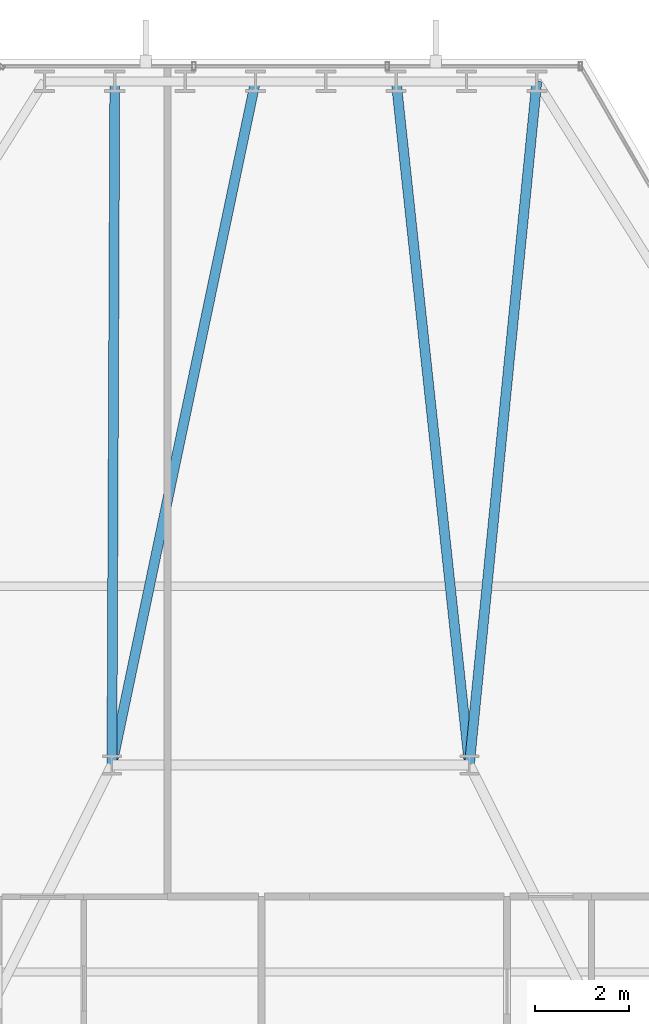
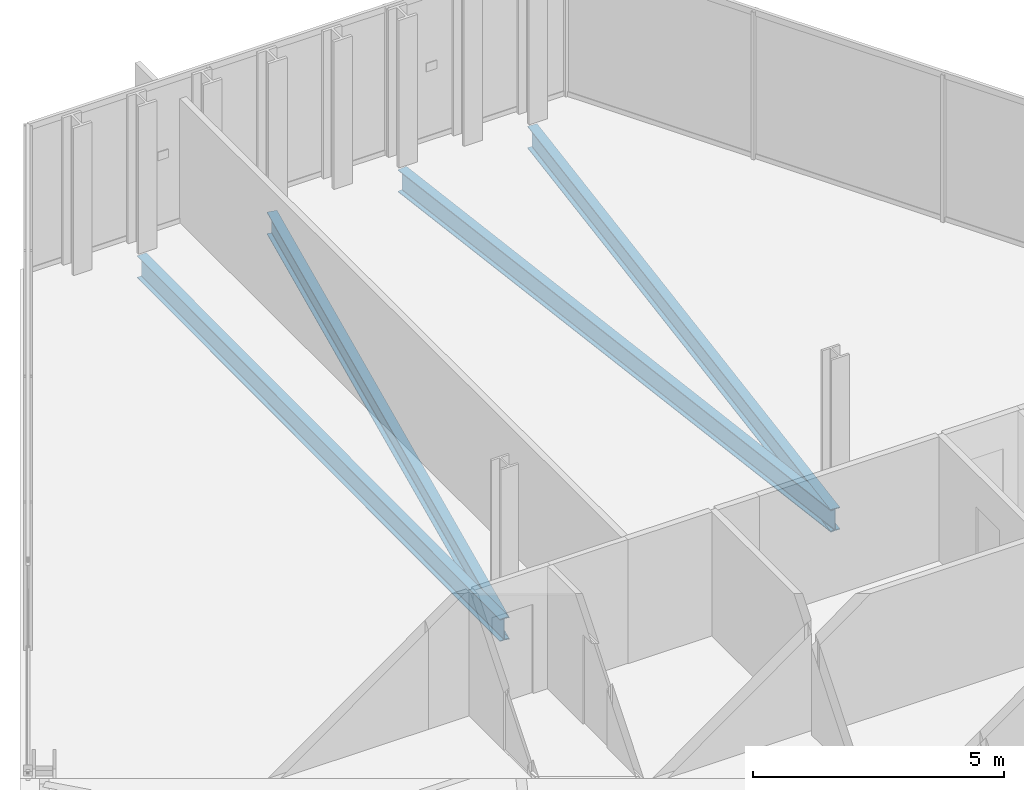
# One storey, part 21 of 32: 4 beams.
"""IFC4 building model written with IfcOpenShell, lengths in metres."""

from ifc_helpers import new_model, si_unit, direction, frame, origin, origin_2d, place, context, subcontext, project, spatial, i_section, extrude, material, material_profile, profile_set, type_object, element, save


model = new_model("IFC4")

# Units and contexts
model_context = context("Model", 3, precision=1e-05, world=origin(), true_north=direction((0.0, 1.0)))
body_context = subcontext(model_context, "Body", "Model", "MODEL_VIEW")
ifc_project = project(units=[si_unit("LENGTHUNIT", "METRE"), si_unit("AREAUNIT", "SQUARE_METRE"), si_unit("VOLUMEUNIT", "CUBIC_METRE"), si_unit("PLANEANGLEUNIT", "RADIAN"), si_unit("MASSUNIT", "GRAM", prefix="KILO")], contexts=[model_context])

# Site, building, storey
site_placement = place(None, origin())
site = spatial("IfcSite", under=ifc_project, at=site_placement, CompositionType="ELEMENT")
building_placement = place(site_placement, origin())
building = spatial("IfcBuilding", under=site, at=building_placement, Name="Ndaravel Arena Tower", CompositionType="ELEMENT")
storey_placement = place(building_placement, frame((0.0, 0.0, 130.800048828125)))
storey = spatial("IfcBuildingStorey", under=building, at=storey_placement, Name="L30", CompositionType="ELEMENT", Elevation=130.800048828125)

# Beams
ifc_material = material(Name="Steel S355", Category="steel")
ifc_material_profile = material_profile(ifc_material, i_section(OverallWidth=0.210693359375, OverallDepth=0.53955078125, WebThickness=0.01171875, FlangeThickness=0.018798828125, FilletRadius=0.0126953125, at=origin_2d()), Name="UB 533x210x109")
ifc_profile_set = profile_set([ifc_material_profile], Name="Steel S355")
beam_type = type_object("IfcBeamType", Name="BM-GIRD-UB533", PredefinedType="BEAM", material=ifc_profile_set)
beam_1_placement = place(storey_placement, frame((47.234375, 45.736083984375, -0.48974609375), z_axis=(-0.098196280092, -0.995167066666, 0.0), x_axis=(0.995167066666, -0.098196280092, 0.0)))
element("IfcBeam", 1, at=beam_1_placement, inside=storey, type_object=beam_type, Name="L30 Radial Floor Girder FG-11", PredefinedType="BEAM", context=body_context, shape_type="SweptSolid", body=[
    extrude(i_section(OverallWidth=0.210693359375, OverallDepth=0.53955078125, WebThickness=0.01171875, FlangeThickness=0.018798828125, FilletRadius=0.0126953125, at=origin_2d()), origin(), (0.0, 0.0, 1.0), 14.606689453125),
])
beam_2_placement = place(storey_placement, frame((44.243408203125, 45.736083984375, -0.48974609375), z_axis=(0.106478874965, -0.99431496478, 0.0), x_axis=(0.99431496478, 0.106478874965, 0.0)))
element("IfcBeam", 2, at=beam_2_placement, inside=storey, type_object=beam_type, Name="L30 Radial Floor Girder FG-13", PredefinedType="BEAM", context=body_context, shape_type="SweptSolid", body=[
    extrude(i_section(OverallWidth=0.210693359375, OverallDepth=0.53955078125, WebThickness=0.01171875, FlangeThickness=0.018798828125, FilletRadius=0.0126953125, at=origin_2d()), origin(), (0.0, 0.0, 1.0), 14.619140625),
])
beam_3_placement = place(storey_placement, frame((41.252197265625, 45.736083984375, -0.48974609375), z_axis=(-0.205495194411, -0.978658124717, 0.0), x_axis=(0.978658124717, -0.205495194411, 0.0)))
element("IfcBeam", 3, at=beam_3_placement, inside=storey, type_object=beam_type, Name="L30 Radial Floor Girder FG-15", PredefinedType="BEAM", context=body_context, shape_type="SweptSolid", body=[
    extrude(i_section(OverallWidth=0.210693359375, OverallDepth=0.53955078125, WebThickness=0.01171875, FlangeThickness=0.018798828125, FilletRadius=0.0126953125, at=origin_2d()), origin(), (0.0, 0.0, 1.0), 14.85302734375),
])
beam_4_placement = place(storey_placement, frame((38.26123046875, 45.736083984375, -0.48974609375), z_axis=(-0.004215615883, -0.999991114252, 0.0), x_axis=(0.999991114252, -0.004215615883, 0.0)))
element("IfcBeam", 4, at=beam_4_placement, inside=storey, type_object=beam_type, Name="L30 Radial Floor Girder FG-17", PredefinedType="BEAM", context=body_context, shape_type="SweptSolid", body=[
    extrude(i_section(OverallWidth=0.210693359375, OverallDepth=0.53955078125, WebThickness=0.01171875, FlangeThickness=0.018798828125, FilletRadius=0.0126953125, at=origin_2d()), origin(), (0.0, 0.0, 1.0), 14.536376953125),
])

save(model, "model.ifc")
